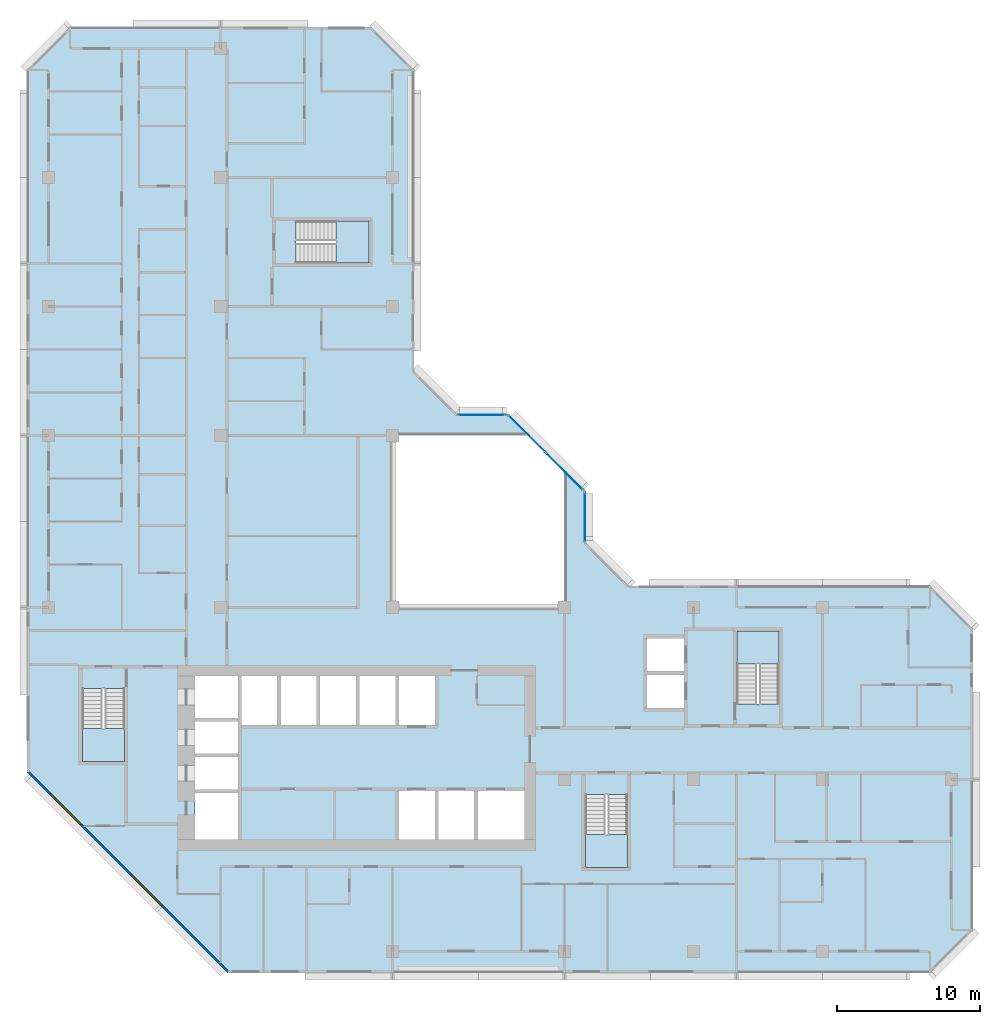
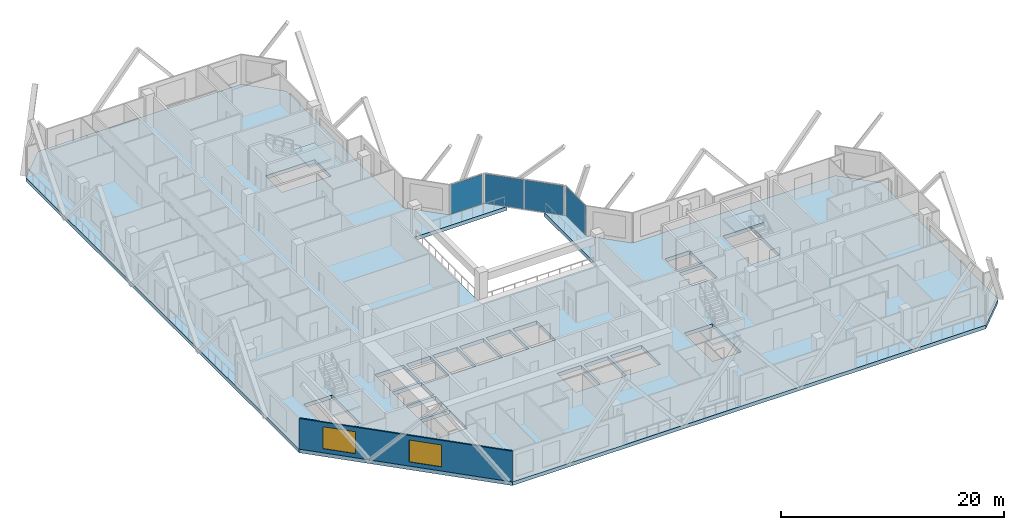
# One storey, part 3 of 15: 5 slabs, 4 plates, 2 windows, 1 wall, 2 openings, 7 elements without a shape of their own.
"""IFC4 building model written with IfcOpenShell, lengths in metres."""

from ifc_helpers import new_model, si_unit, direction, frame, frame_2d, origin, origin_2d, place, context, subcontext, project, spatial, polyline, rectangle, outline, extrude, material, layer, layer_set, type_object, element, fill, aggregate, save


model = new_model("IFC4")

# Units and contexts
model_context = context("Model", 3, precision=1e-05, world=origin(), true_north=direction((0.0, 1.0)))
body_context = subcontext(model_context, "Body", "Model", "MODEL_VIEW")
ifc_project = project(units=[si_unit("LENGTHUNIT", "METRE"), si_unit("AREAUNIT", "SQUARE_METRE"), si_unit("VOLUMEUNIT", "CUBIC_METRE"), si_unit("PLANEANGLEUNIT", "RADIAN"), si_unit("MASSUNIT", "GRAM", prefix="KILO")], contexts=[model_context])

# Site, building, storey
site_placement = place(None, origin())
site = spatial("IfcSite", under=ifc_project, at=site_placement, CompositionType="ELEMENT")
building_placement = place(site_placement, origin())
building = spatial("IfcBuilding", under=site, at=building_placement, Name="Chenar Terraces", CompositionType="ELEMENT")
storey_placement = place(building_placement, frame((0.0, 0.0, 172.39990234375)))
storey = spatial("IfcBuildingStorey", under=building, at=storey_placement, Name="L39", CompositionType="ELEMENT", Elevation=172.39990234375)

# Curtain wall, plate
ifc_material_1 = material(Name="Aluminium framed glazing", Category="aluminium")
ifc_layer_1 = layer(ifc_material_1, 0.14990234375)
ifc_layer_set_1 = layer_set([ifc_layer_1], Name="Aluminium framed glazing")
curtain_wall_type = type_object("IfcCurtainWallType", Name="Atrium mid-zone curtain wall", PredefinedType="NOTDEFINED", material=ifc_layer_set_1)
placement_1 = place(storey_placement, origin())
curtain_wall_1 = element("IfcCurtainWall", 1, at=placement_1, inside=storey, type_object=curtain_wall_type, Name="Atrium mid-zone curtain wall", PredefinedType="NOTDEFINED")
ifc_material_2 = material(Name="Low emissivity laminated glass, solar control coating", Category="glass")
ifc_layer_2 = layer(ifc_material_2, 0.031982421875)
ifc_layer_set_2 = layer_set([ifc_layer_2], Name="Low emissivity laminated glass, solar control coating")
plate_type = type_object("IfcPlateType", Name="Atrium mid-zone glazing panel 32", PredefinedType="CURTAIN_PANEL", material=ifc_layer_set_2)
plate_1_placement = place(storey_placement, frame((37.425048828125, 30.300048828125, 0.070068359375), z_axis=(0.0, 0.0, 1.0), x_axis=(0.0, 1.0, 0.0)))
plate_1 = element("IfcPlate", 2, at=plate_1_placement, type_object=plate_type, Name="CW7-1 panel 1.1", PredefinedType="CURTAIN_PANEL", context=body_context, shape_type="SweptSolid", body=[
    extrude(rectangle(XDim=3.4599609375, YDim=0.031982421875, at=origin_2d()), origin(), (0.0, 0.0, 1.0), 3.2099609375),
])
aggregate(curtain_wall_1, [plate_1])

# Curtain wall, plates
curtain_wall_2 = element("IfcCurtainWall", 3, at=placement_1, inside=storey, type_object=curtain_wall_type, Name="Atrium mid-zone curtain wall", PredefinedType="NOTDEFINED")
plate_2_placement = place(storey_placement, frame((35.978515625, 33.515380859375, 0.070068359375), z_axis=(0.0, 0.0, 1.0), x_axis=(-0.707106781187, 0.707106781187, 0.0)))
plate_2 = element("IfcPlate", 4, at=plate_2_placement, type_object=plate_type, Name="CW7-2 panel 1.1", PredefinedType="CURTAIN_PANEL", context=body_context, shape_type="SweptSolid", body=[
    extrude(rectangle(XDim=3.61328125, YDim=0.031982421875, at=origin_2d()), origin(), (0.0, 0.0, 1.0), 3.2099609375),
])
plate_3_placement = place(storey_placement, frame((33.3740234375, 36.119873046875, 0.070068359375), z_axis=(0.0, 0.0, 1.0), x_axis=(-0.707106781187, 0.707106781187, 0.0)))
plate_3 = element("IfcPlate", 5, at=plate_3_placement, type_object=plate_type, Name="CW7-2 panel 2.1", PredefinedType="CURTAIN_PANEL", context=body_context, shape_type="SweptSolid", body=[
    extrude(rectangle(XDim=3.61328125, YDim=0.031982421875, at=origin_2d()), origin(), (0.0, 0.0, 1.0), 3.2099609375),
])
aggregate(curtain_wall_2, [plate_2, plate_3])

# Curtain wall, plate
curtain_wall_3 = element("IfcCurtainWall", 6, at=placement_1, inside=storey, type_object=curtain_wall_type, Name="Atrium mid-zone curtain wall", PredefinedType="NOTDEFINED")
plate_4_placement = place(storey_placement, frame((30.199951171875, 37.425048828125, 0.070068359375), z_axis=(0.0, 0.0, 1.0), x_axis=(-1.0, 0.0, 0.0)))
plate_4 = element("IfcPlate", 7, at=plate_4_placement, type_object=plate_type, Name="CW7-3 panel 1.1", PredefinedType="CURTAIN_PANEL", context=body_context, shape_type="SweptSolid", body=[
    extrude(rectangle(XDim=3.260009765625, YDim=0.031982421875, at=origin_2d()), origin(), (0.0, 0.0, 1.0), 3.2099609375),
])
aggregate(curtain_wall_3, [plate_4])

# Stair, slab
ifc_material_3 = material(Name="Reinforced concrete C40/50", Category="concrete")
stair_type = type_object("IfcStairType", Name="Core stair 1400 half-turn", PredefinedType="HALF_TURN_STAIR", material=ifc_material_3)
stair_1 = element("IfcStair", 8, at=placement_1, inside=storey, type_object=stair_type, Name="L39 Stair 1", PredefinedType="HALF_TURN_STAIR")
ifc_material_4 = material(Name="Reinforced concrete C40/50", Category="concrete")
ifc_layer_3 = layer(ifc_material_4, 0.199951171875)
ifc_layer_set_3 = layer_set([ifc_layer_3], Name="Reinforced concrete C40/50")
slab_type_1 = type_object("IfcSlabType", Name="Core stair landing 200", PredefinedType="LANDING", material=ifc_layer_set_3)
placement_2 = place(storey_placement, frame((0.0, 0.0, 1.675048828125)))
slab_1 = element("IfcSlab", 9, at=placement_2, type_object=slab_type_1, Name="ST1 landing 1", PredefinedType="LANDING", context=body_context, shape_type="SweptSolid", body=[
    extrude(outline(polyline([(2.35009765625, 15.550048828125), (2.35009765625, 13.25), (5.300048828125, 13.25), (5.300048828125, 15.550048828125), (2.35009765625, 15.550048828125)])), origin(), (0.0, 0.0, 1.0), 0.199951171875),
])
aggregate(stair_1, [slab_1])

stair_2 = element("IfcStair", 10, at=placement_1, inside=storey, type_object=stair_type, Name="L39 Stair 2", PredefinedType="HALF_TURN_STAIR")
slab_2 = element("IfcSlab", 11, at=placement_2, type_object=slab_type_1, Name="ST2 landing 1", PredefinedType="LANDING", context=body_context, shape_type="SweptSolid", body=[
    extrude(outline(polyline([(37.449951171875, 8.14990234375), (37.449951171875, 5.85009765625), (40.39990234375, 5.85009765625), (40.39990234375, 8.14990234375), (37.449951171875, 8.14990234375)])), origin(), (0.0, 0.0, 1.0), 0.199951171875),
])
aggregate(stair_2, [slab_2])

stair_3 = element("IfcStair", 12, at=placement_1, inside=storey, type_object=stair_type, Name="L39 Stair 3", PredefinedType="HALF_TURN_STAIR")
slab_3 = element("IfcSlab", 13, at=placement_2, type_object=slab_type_1, Name="ST3 landing 1", PredefinedType="LANDING", context=body_context, shape_type="SweptSolid", body=[
    extrude(outline(polyline([(50.97509765625, 20.050048828125), (50.97509765625, 22.35009765625), (48.02490234375, 22.35009765625), (48.02490234375, 20.050048828125), (50.97509765625, 20.050048828125)])), origin(), (0.0, 0.0, 1.0), 0.199951171875),
])
aggregate(stair_3, [slab_3])

stair_4 = element("IfcStair", 14, at=placement_1, inside=storey, type_object=stair_type, Name="L39 Stair 4", PredefinedType="HALF_TURN_STAIR")
slab_4 = element("IfcSlab", 15, at=placement_2, type_object=slab_type_1, Name="ST4 landing 1", PredefinedType="LANDING", context=body_context, shape_type="SweptSolid", body=[
    extrude(outline(polyline([(20.050048828125, 48.02490234375), (22.35009765625, 48.02490234375), (22.35009765625, 50.97509765625), (20.050048828125, 50.97509765625), (20.050048828125, 48.02490234375)])), origin(), (0.0, 0.0, 1.0), 0.199951171875),
])
aggregate(stair_4, [slab_4])

# Slab
ifc_material_5 = material(Name="Concrete C40/50", Category="concrete")
ifc_layer_4 = layer(ifc_material_5, 0.39990234375)
ifc_layer_set_4 = layer_set([ifc_layer_4], Name="Concrete C40/50")
slab_type_2 = type_object("IfcSlabType", Name="Floor slab 400 Concrete C40/50", PredefinedType="FLOOR", material=ifc_layer_set_4)
slab_5_placement = place(storey_placement, frame((0.0, 0.0, -0.39990234375)))
element("IfcSlab", 16, at=slab_5_placement, inside=storey, type_object=slab_type_2, Name="Floor slab L39", PredefinedType="FLOOR", context=body_context, shape_type="SweptSolid", body=[
    extrude(outline(polyline([(64.5, 22.5), (64.5, 1.5), (61.5, -1.5), (12.5, -1.5), (-1.5, 12.5), (-1.5, 61.5), (1.5, 64.5), (22.5, 64.5), (25.5, 61.5), (25.5, 40.5), (28.5, 37.5), (32.10009765625, 37.5), (33.60009765625, 36.0), (24.0, 36.0), (24.0, 24.0), (36.0, 24.0), (36.0, 33.60009765625), (37.5, 32.10009765625), (37.5, 28.5), (40.5, 25.5), (61.5, 25.5), (64.5, 22.5)]), holes=[polyline([(13.199951171875, 11.050048828125), (10.199951171875, 11.050048828125), (10.199951171875, 7.800048828125), (13.199951171875, 7.800048828125), (13.199951171875, 11.050048828125)]), polyline([(13.199951171875, 13.550048828125), (10.199951171875, 13.550048828125), (10.199951171875, 11.300048828125), (13.199951171875, 11.300048828125), (13.199951171875, 13.550048828125)]), polyline([(13.199951171875, 16.050048828125), (10.199951171875, 16.050048828125), (10.199951171875, 13.800048828125), (13.199951171875, 13.800048828125), (13.199951171875, 16.050048828125)]), polyline([(2.35009765625, 13.25), (5.300048828125, 13.25), (5.300048828125, 18.35009765625), (2.35009765625, 18.35009765625), (2.35009765625, 13.25)]), polyline([(15.949951171875, 19.199951171875), (13.449951171875, 19.199951171875), (13.449951171875, 15.800048828125), (15.949951171875, 15.800048828125), (15.949951171875, 19.199951171875)]), polyline([(18.699951171875, 19.199951171875), (16.199951171875, 19.199951171875), (16.199951171875, 15.800048828125), (18.699951171875, 15.800048828125), (18.699951171875, 19.199951171875)]), polyline([(21.449951171875, 19.199951171875), (18.949951171875, 19.199951171875), (18.949951171875, 15.800048828125), (21.449951171875, 15.800048828125), (21.449951171875, 19.199951171875)]), polyline([(24.199951171875, 15.800048828125), (24.199951171875, 19.199951171875), (21.699951171875, 19.199951171875), (21.699951171875, 15.800048828125), (24.199951171875, 15.800048828125)]), polyline([(13.199951171875, 16.300048828125), (13.199951171875, 19.199951171875), (10.199951171875, 19.199951171875), (10.199951171875, 16.300048828125), (13.199951171875, 16.300048828125)]), polyline([(22.35009765625, 48.02490234375), (22.35009765625, 50.97509765625), (17.25, 50.97509765625), (17.25, 48.02490234375), (22.35009765625, 48.02490234375)]), polyline([(37.449951171875, 5.85009765625), (40.39990234375, 5.85009765625), (40.39990234375, 10.949951171875), (37.449951171875, 10.949951171875), (37.449951171875, 5.85009765625)]), polyline([(26.949951171875, 11.199951171875), (24.449951171875, 11.199951171875), (24.449951171875, 7.800048828125), (26.949951171875, 7.800048828125), (26.949951171875, 11.199951171875)]), polyline([(29.699951171875, 7.800048828125), (29.699951171875, 11.199951171875), (27.199951171875, 11.199951171875), (27.199951171875, 7.800048828125), (29.699951171875, 7.800048828125)]), polyline([(33.199951171875, 7.800048828125), (33.199951171875, 11.199951171875), (29.949951171875, 11.199951171875), (29.949951171875, 7.800048828125), (33.199951171875, 7.800048828125)]), polyline([(26.949951171875, 19.199951171875), (24.449951171875, 19.199951171875), (24.449951171875, 15.800048828125), (26.949951171875, 15.800048828125), (26.949951171875, 19.199951171875)]), polyline([(44.35009765625, 19.300048828125), (41.75, 19.300048828125), (41.75, 17.0), (44.35009765625, 17.0), (44.35009765625, 19.300048828125)]), polyline([(50.97509765625, 22.35009765625), (48.02490234375, 22.35009765625), (48.02490234375, 17.25), (50.97509765625, 17.25), (50.97509765625, 22.35009765625)]), polyline([(44.35009765625, 19.550048828125), (44.35009765625, 21.85009765625), (41.75, 21.85009765625), (41.75, 19.550048828125), (44.35009765625, 19.550048828125)])]), origin(), (0.0, 0.0, 1.0), 0.39990234375),
])

# Wall, openings, windows
ifc_material_6 = material(Name="Terracotta cladding on insulated backing", Category="masonry")
ifc_layer_5 = layer(ifc_material_6, 0.14990234375)
ifc_layer_set_5 = layer_set([ifc_layer_5], Name="Terracotta cladding on insulated backing")
wall_type = type_object("IfcWallType", Name="Terracotta rainscreen wall 150", PredefinedType="SOLIDWALL", material=ifc_layer_set_5)
wall_placement = place(storey_placement, frame((-1.447021484375, 12.552978515625, 0.0), z_axis=(0.0, 0.0, 1.0), x_axis=(0.707106781187, -0.707106781187, 0.0)))
wall = element("IfcWall", 17, at=wall_placement, inside=storey, type_object=wall_type, Name="Terracotta rainscreen wall", PredefinedType="SOLIDWALL", context=body_context, shape_type="SweptSolid", body=[
    extrude(rectangle(XDim=19.799072265625, YDim=0.14990234375, at=frame_2d((9.8994140625, 0.0))), origin(), (0.0, 0.0, 1.0), 3.35009765625),
])
opening_1_placement = place(wall_placement, frame((2.21240234375, 0.0, 0.449951171875)))
opening_1 = element("IfcOpeningElement", 18, at=opening_1_placement, cuts=wall, Name="Opening W300x240", PredefinedType="OPENING", context=body_context, shape_type="SweptSolid", body=[
    extrude(rectangle(XDim=3.0, YDim=2.39990234375, at=frame_2d((1.5, 1.199951171875))), frame((0.0, 0.0849609375, 0.0), z_axis=(0.0, -1.0, 0.0), x_axis=(1.0, 0.0, 0.0)), (0.0, 0.0, 1.0), 0.169921875),
])
opening_2_placement = place(wall_placement, frame((10.215576171875, 0.0, 0.449951171875)))
opening_2 = element("IfcOpeningElement", 19, at=opening_2_placement, cuts=wall, Name="Opening W300x240", PredefinedType="OPENING", context=body_context, shape_type="SweptSolid", body=[
    extrude(rectangle(XDim=3.0, YDim=2.39990234375, at=frame_2d((1.5, 1.199951171875))), frame((0.0, 0.0849609375, 0.0), z_axis=(0.0, -1.0, 0.0), x_axis=(1.0, 0.0, 0.0)), (0.0, 0.0, 1.0), 0.169921875),
])
ifc_material_7 = material(Name="Low emissivity double glazing, aluminium frame", Category="aluminium")
window_type = type_object("IfcWindowType", Name="Fixed light 3000 x 2400", PartitioningType="SINGLE_PANEL", PredefinedType="WINDOW", material=ifc_material_7)
window_1_placement = place(opening_1_placement, origin())
window_1 = element("IfcWindow", 20, at=window_1_placement, inside=storey, type_object=window_type, Name="Window", OverallHeight=2.39990234375, OverallWidth=3.0, PartitioningType="SINGLE_PANEL", PredefinedType="WINDOW", context=body_context, shape_type="SweptSolid", body=[
    extrude(rectangle(XDim=3.0, YDim=2.39990234375, at=frame_2d((1.5, 1.199951171875))), frame((0.0, 0.030029296875, 0.0), z_axis=(0.0, -1.0, 0.0), x_axis=(1.0, 0.0, 0.0)), (0.0, 0.0, 1.0), 0.06005859375),
])
fill(opening_1, window_1)
window_2_placement = place(opening_2_placement, origin())
window_2 = element("IfcWindow", 21, at=window_2_placement, inside=storey, type_object=window_type, Name="Window", OverallHeight=2.39990234375, OverallWidth=3.0, PartitioningType="SINGLE_PANEL", PredefinedType="WINDOW", context=body_context, shape_type="SweptSolid", body=[
    extrude(rectangle(XDim=3.0, YDim=2.39990234375, at=frame_2d((1.5, 1.199951171875))), frame((0.0, 0.030029296875, 0.0), z_axis=(0.0, -1.0, 0.0), x_axis=(1.0, 0.0, 0.0)), (0.0, 0.0, 1.0), 0.06005859375),
])
fill(opening_2, window_2)

save(model, "model.ifc")
